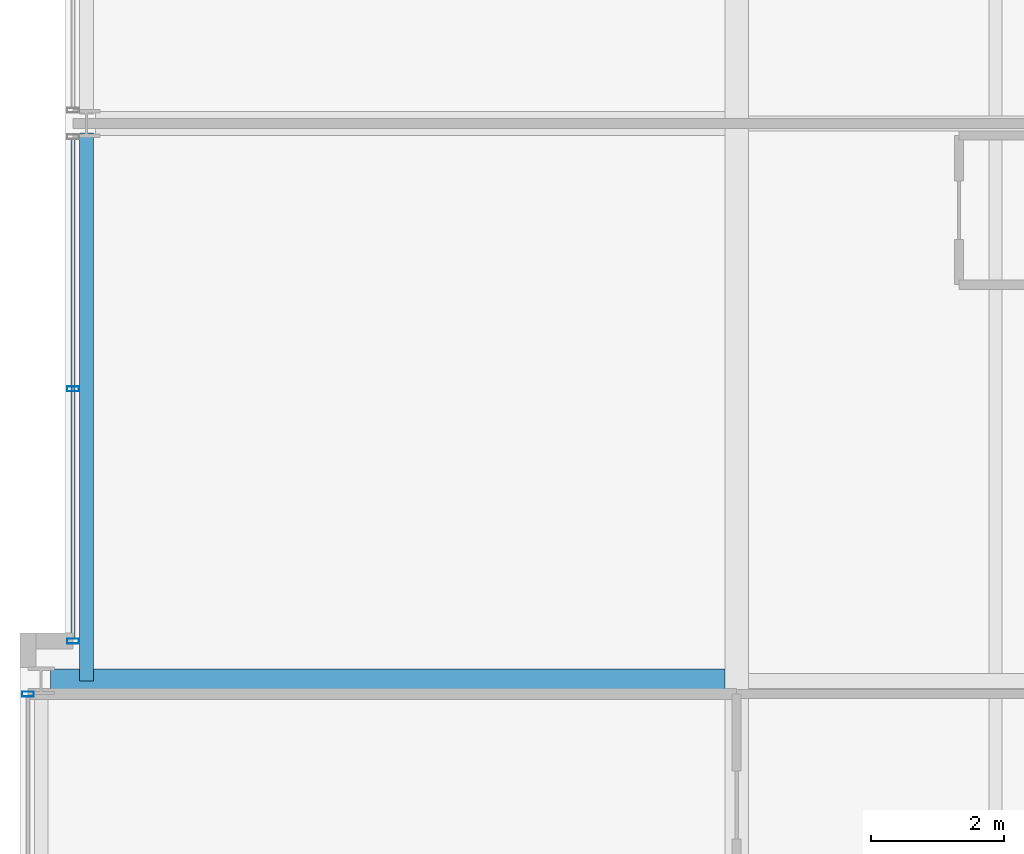
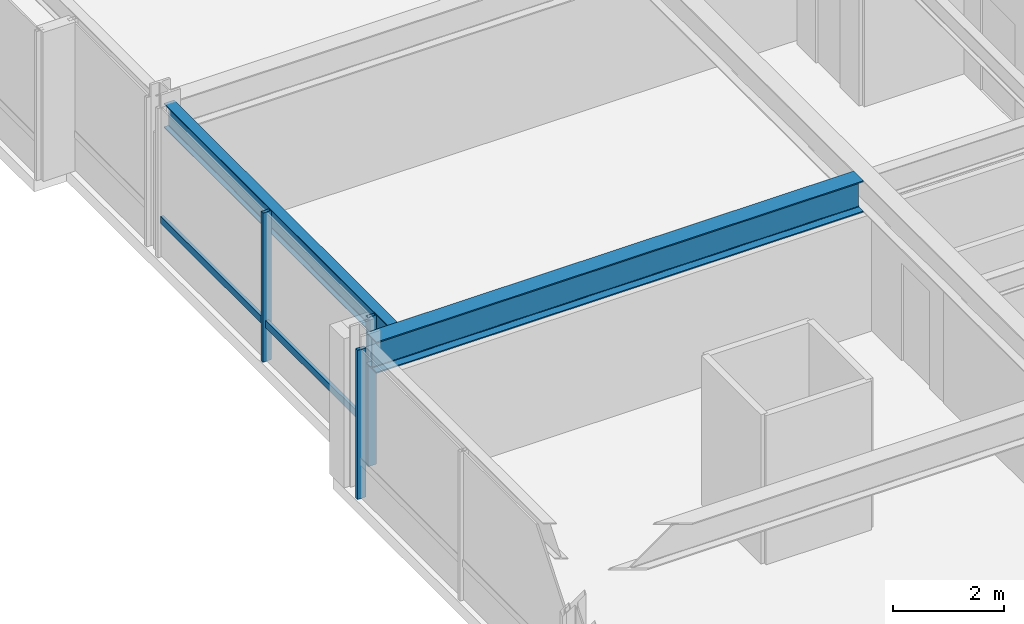
# One storey, part 7 of 32: 4 members, 2 beams, 2 elements without a shape of their own.
"""IFC4 building model written with IfcOpenShell, lengths in metres."""

from ifc_helpers import new_model, si_unit, direction, frame, origin, origin_2d, place, context, subcontext, project, spatial, hollow_rectangle, i_section, extrude, material, layer, layer_set, material_profile, profile_set, type_object, element, aggregate, save


model = new_model("IFC4")

# Units and contexts
model_context = context("Model", 3, precision=1e-05, world=origin(), true_north=direction((0.0, 1.0)))
body_context = subcontext(model_context, "Body", "Model", "MODEL_VIEW")
ifc_project = project(units=[si_unit("LENGTHUNIT", "METRE"), si_unit("AREAUNIT", "SQUARE_METRE"), si_unit("VOLUMEUNIT", "CUBIC_METRE"), si_unit("PLANEANGLEUNIT", "RADIAN"), si_unit("MASSUNIT", "GRAM", prefix="KILO")], contexts=[model_context])

# Site, building, storey
site_placement = place(None, origin())
site = spatial("IfcSite", under=ifc_project, at=site_placement, CompositionType="ELEMENT")
building_placement = place(site_placement, origin())
building = spatial("IfcBuilding", under=site, at=building_placement, Name="Drelvath Grand Hotel", CompositionType="ELEMENT")
storey_placement = place(building_placement, frame((0.0, 0.0, 164.60009765625)))
storey = spatial("IfcBuildingStorey", under=building, at=storey_placement, Name="L42", CompositionType="ELEMENT", Elevation=164.60009765625)

# Curtain wall, member
ifc_material_1 = material(Name="Brushed Pale-Silver Anodised Aluminium Frame", Category="aluminium")
ifc_layer = layer(ifc_material_1, 0.199951171875)
ifc_layer_set = layer_set([ifc_layer], Name="Brushed Pale-Silver Anodised Aluminium Frame")
curtain_wall_type = type_object("IfcCurtainWallType", Name="Stick Curtain Wall CW-04 Brushed Silver Upper-Mid", PredefinedType="NOTDEFINED", material=ifc_layer_set)
curtain_wall_1_placement = place(storey_placement, origin())
curtain_wall_1 = element("IfcCurtainWall", 1, at=curtain_wall_1_placement, inside=storey, type_object=curtain_wall_type, Name="L42 CW-04 Curtain Wall CW04-L42-WM1", PredefinedType="NOTDEFINED")
ifc_material_profile_1 = material_profile(ifc_material_1, hollow_rectangle(XDim=0.06494140625, YDim=0.159912109375, WallThickness=0.00390625, at=origin_2d()), Name="HSS160X65X4")
ifc_profile_set_1 = profile_set([ifc_material_profile_1], Name="Brushed Pale-Silver Anodised Aluminium Frame")
member_type_1 = type_object("IfcMemberType", Name="Curtain Wall Horizontal Transom CW-04 HSS160X65X4", PredefinedType="USERDEFINED", material=ifc_profile_set_1)
member_1_placement = place(storey_placement, frame((-26.199951171875, 19.239990234375, 0.822509765625), z_axis=(0.0, 1.0, 0.0), x_axis=(-1.0, 0.0, 0.0)))
member_1 = element("IfcMember", 2, at=member_1_placement, type_object=member_type_1, Name="CW04-L42-WM1 Sill Transom", ObjectType="TRANSOM", PredefinedType="USERDEFINED", context=body_context, shape_type="SweptSolid", body=[
    extrude(hollow_rectangle(XDim=0.06494140625, YDim=0.159912109375, WallThickness=0.00390625, at=origin_2d()), origin(), (0.0, 0.0, 1.0), 7.52001953125),
])

curtain_wall_2_placement = place(storey_placement, origin())
curtain_wall_2 = element("IfcCurtainWall", 3, at=curtain_wall_2_placement, inside=storey, type_object=curtain_wall_type, Name="L42 CW-04 Curtain Wall CW04-L42-WS2", PredefinedType="NOTDEFINED")
ifc_material_profile_2 = material_profile(ifc_material_1, hollow_rectangle(XDim=0.074951171875, YDim=0.179931640625, WallThickness=0.0048828125, at=origin_2d()), Name="HSS180X75X5")
ifc_profile_set_2 = profile_set([ifc_material_profile_2], Name="Brushed Pale-Silver Anodised Aluminium Frame")
member_type_2 = type_object("IfcMemberType", Name="Curtain Wall Vertical Mullion CW-04 HSS180X75X5", PredefinedType="MULLION", material=ifc_profile_set_2)
member_2_placement = place(storey_placement, frame((-26.8798828125, 18.39990234375, 0.0), z_axis=(0.0, 0.0, 1.0), x_axis=(0.0, 1.0, 0.0)))
member_2 = element("IfcMember", 4, at=member_2_placement, type_object=member_type_2, Name="CW04-L42-WS2 Mullion 3", PredefinedType="MULLION", context=body_context, shape_type="SweptSolid", body=[
    extrude(hollow_rectangle(XDim=0.074951171875, YDim=0.179931640625, WallThickness=0.0048828125, at=origin_2d()), origin(), (0.0, 0.0, 1.0), 3.289794921875),
])
aggregate(curtain_wall_2, [member_2])

# Member
member_3_placement = place(storey_placement, frame((-26.199951171875, 19.199951171875, 0.0), z_axis=(0.0, 0.0, 1.0), x_axis=(0.0, 1.0, 0.0)))
member_3 = element("IfcMember", 5, at=member_3_placement, type_object=member_type_2, Name="CW04-L42-WM1 Mullion 1", PredefinedType="MULLION", context=body_context, shape_type="SweptSolid", body=[
    extrude(hollow_rectangle(XDim=0.074951171875, YDim=0.179931640625, WallThickness=0.0048828125, at=origin_2d()), origin(), (0.0, 0.0, 1.0), 3.289794921875),
])

member_4_placement = place(storey_placement, frame((-26.199951171875, 23.0, 0.0), z_axis=(0.0, 0.0, 1.0), x_axis=(0.0, 1.0, 0.0)))
member_4 = element("IfcMember", 6, at=member_4_placement, type_object=member_type_2, Name="CW04-L42-WM1 Mullion 2", PredefinedType="MULLION", context=body_context, shape_type="SweptSolid", body=[
    extrude(hollow_rectangle(XDim=0.074951171875, YDim=0.179931640625, WallThickness=0.0048828125, at=origin_2d()), origin(), (0.0, 0.0, 1.0), 3.289794921875),
])

aggregate(curtain_wall_1, [member_3, member_4, member_1])

# Beams
ifc_material_2 = material(Name="Steel ASTM A992 Gr 50", Category="steel")
ifc_material_profile_3 = material_profile(ifc_material_2, i_section(OverallWidth=0.210205078125, OverallDepth=0.53662109375, WebThickness=0.010986328125, FlangeThickness=0.017333984375, FilletRadius=0.01806640625, at=origin_2d()), Name="W21X68")
ifc_profile_set_3 = profile_set([ifc_material_profile_3], Name="Steel ASTM A992 Gr 50")
beam_type_1 = type_object("IfcBeamType", Name="Perimeter Spandrel Beam W21X68", PredefinedType="SPANDREL", material=ifc_profile_set_3)
beam_1_placement = place(storey_placement, frame((-26.0, 18.60009765625, 3.021484375), z_axis=(0.0, 1.0, 0.0), x_axis=(-1.0, 0.0, 0.0)))
element("IfcBeam", 7, at=beam_1_placement, inside=storey, type_object=beam_type_1, Name="L42 Spandrel West Mid S", PredefinedType="SPANDREL", context=body_context, shape_type="SweptSolid", body=[
    extrude(i_section(OverallWidth=0.210205078125, OverallDepth=0.53662109375, WebThickness=0.010986328125, FlangeThickness=0.017333984375, FilletRadius=0.01806640625, at=origin_2d()), origin(), (0.0, 0.0, 1.0), 8.260009765625),
])
ifc_material_profile_4 = material_profile(ifc_material_2, i_section(OverallWidth=0.354736328125, OverallDepth=0.695556640625, WebThickness=0.015380859375, FlangeThickness=0.025146484375, FilletRadius=0.02392578125, at=origin_2d()), Name="W27X146")
ifc_profile_set_4 = profile_set([ifc_material_profile_4], Name="Steel ASTM A992 Gr 50")
beam_type_2 = type_object("IfcBeamType", Name="Primary Floor Girder W27X146", PredefinedType="BEAM", material=ifc_profile_set_4)
beam_2_placement = place(storey_placement, frame((-26.5400390625, 18.60009765625, 2.942138671875), z_axis=(1.0, 0.0, 0.0), x_axis=(0.0, 1.0, 0.0)))
element("IfcBeam", 8, at=beam_2_placement, inside=storey, type_object=beam_type_2, Name="L42 West Wing Girder D", PredefinedType="BEAM", context=body_context, shape_type="SweptSolid", body=[
    extrude(i_section(OverallWidth=0.354736328125, OverallDepth=0.695556640625, WebThickness=0.015380859375, FlangeThickness=0.025146484375, FilletRadius=0.02392578125, at=origin_2d()), origin(), (0.0, 0.0, 1.0), 10.16259765625),
])

save(model, "model.ifc")
